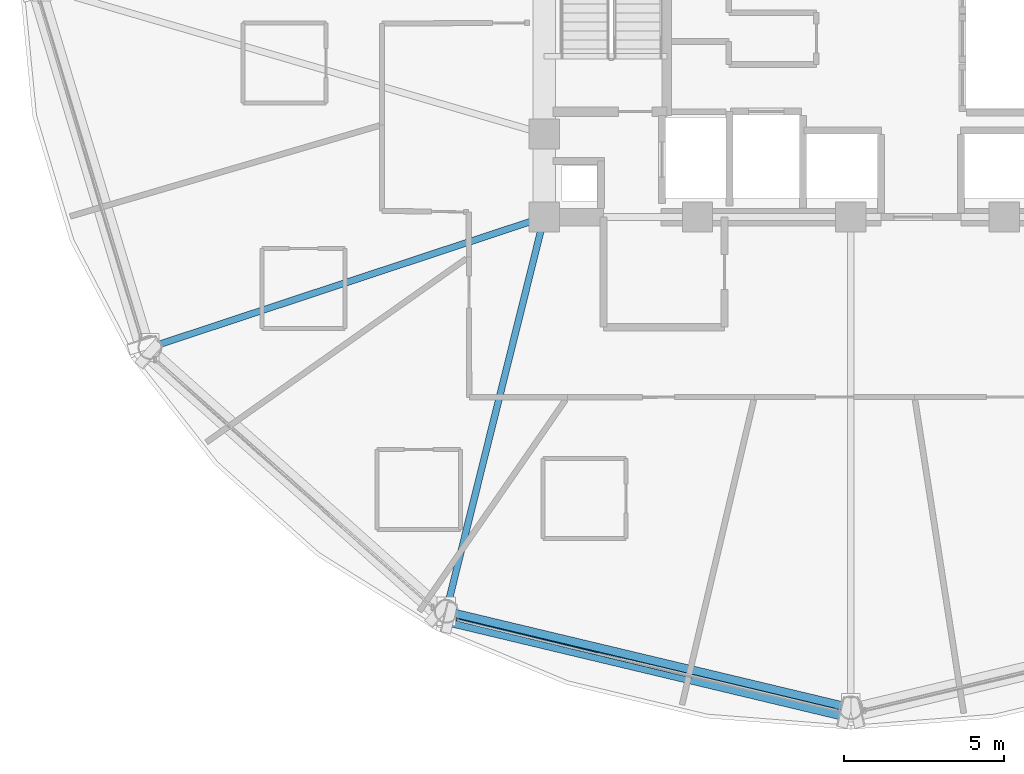
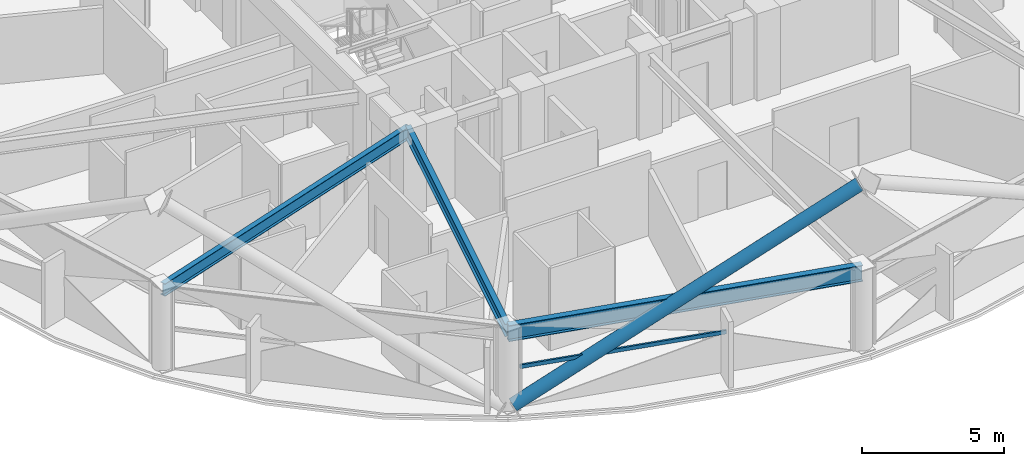
# One storey, part 3 of 30: 3 beams, 2 members, 1 element without a shape of its own.
"""IFC4 building model written with IfcOpenShell, lengths in metres."""

from ifc_helpers import new_model, si_unit, direction, frame, origin, origin_2d, place, context, subcontext, project, spatial, hollow_rectangle, hollow_circle, i_section, extrude, material, layer, layer_set, material_profile, profile_set, type_object, element, aggregate, save


model = new_model("IFC4")

# Units and contexts
model_context = context("Model", 3, precision=1e-05, world=origin(), true_north=direction((0.0, 1.0)))
body_context = subcontext(model_context, "Body", "Model", "MODEL_VIEW")
ifc_project = project(units=[si_unit("LENGTHUNIT", "METRE"), si_unit("AREAUNIT", "SQUARE_METRE"), si_unit("VOLUMEUNIT", "CUBIC_METRE"), si_unit("PLANEANGLEUNIT", "RADIAN"), si_unit("MASSUNIT", "GRAM", prefix="KILO")], contexts=[model_context])

# Site, building, storey
site_placement = place(None, origin())
site = spatial("IfcSite", under=ifc_project, at=site_placement, CompositionType="ELEMENT")
building_placement = place(site_placement, origin())
building = spatial("IfcBuilding", under=site, at=building_placement, Name="Vantalir Tower", CompositionType="ELEMENT")
storey_placement = place(building_placement, frame((0.0, 0.0, 119.699951171875)))
storey = spatial("IfcBuildingStorey", under=building, at=storey_placement, Name="L29", CompositionType="ELEMENT", Elevation=119.699951171875)

# Beams
ifc_material_1 = material(Name="Steel S355", Category="steel")
ifc_material_profile_1 = material_profile(ifc_material_1, i_section(OverallWidth=0.2109375, OverallDepth=0.5390625, WebThickness=0.01171875, FlangeThickness=0.018798828125, at=origin_2d()), Name="Steel S355")
ifc_profile_set_1 = profile_set([ifc_material_profile_1], Name="Steel S355")
beam_type_1 = type_object("IfcBeamType", Name="BM-RB-533x210", PredefinedType="BEAM", material=ifc_profile_set_1)
beam_1_placement = place(storey_placement, frame((9.554931640625, 13.717041015625, 3.300048828125), z_axis=(0.949418619953, 0.314013190944, 0.0), x_axis=(-0.314013190944, 0.949418619953, 0.0)))
element("IfcBeam", 1, at=beam_1_placement, inside=storey, type_object=beam_type_1, Name="L29 Radial Floor Beam 08", PredefinedType="BEAM", context=body_context, shape_type="SweptSolid", body=[
    extrude(i_section(OverallWidth=0.2109375, OverallDepth=0.5390625, WebThickness=0.01171875, FlangeThickness=0.018798828125, at=origin_2d()), origin(), (0.0, 0.0, 1.0), 13.002685546875),
])
beam_2_placement = place(storey_placement, frame((18.830078125, 5.45703125, 3.300048828125), z_axis=(0.241356653408, 0.970436482134, 0.0), x_axis=(-0.970436482134, 0.241356653408, 0.0)))
element("IfcBeam", 2, at=beam_2_placement, inside=storey, type_object=beam_type_1, Name="L29 Radial Floor Beam 09", PredefinedType="BEAM", context=body_context, shape_type="SweptSolid", body=[
    extrude(i_section(OverallWidth=0.2109375, OverallDepth=0.5390625, WebThickness=0.01171875, FlangeThickness=0.018798828125, at=origin_2d()), origin(), (0.0, 0.0, 1.0), 12.718994140625),
])
ifc_material_2 = material(Name="Steel S460", Category="steel")
ifc_material_profile_2 = material_profile(ifc_material_2, i_section(OverallWidth=0.256103515625, OverallDepth=0.693115234375, WebThickness=0.014404296875, FlangeThickness=0.023681640625, at=origin_2d()), Name="Steel S460")
ifc_profile_set_2 = profile_set([ifc_material_profile_2], Name="Steel S460")
beam_type_2 = type_object("IfcBeamType", Name="BM-RG-686x254", PredefinedType="USERDEFINED", material=ifc_profile_set_2)
beam_3_placement = place(storey_placement, frame((18.830078125, 5.45703125, 3.22314453125), z_axis=(0.972697106811, -0.232078302307, 0.0), x_axis=(0.232078302307, 0.972697106811, 0.0)))
element("IfcBeam", 3, at=beam_3_placement, inside=storey, type_object=beam_type_2, Name="L29 Circumferential Ring Girder 09", ObjectType="GIRDER", PredefinedType="USERDEFINED", context=body_context, shape_type="SweptSolid", body=[
    extrude(i_section(OverallWidth=0.256103515625, OverallDepth=0.693115234375, WebThickness=0.014404296875, FlangeThickness=0.023681640625, at=origin_2d()), origin(), (0.0, 0.0, 1.0), 13.025634765625),
])

# Curtain wall, member
ifc_material_3 = material(Name="Champagne-silver PVDF aluminium and double-silver Low-E glass", Category="aluminium")
ifc_layer = layer(ifc_material_3, 0.199951171875)
ifc_layer_set = layer_set([ifc_layer], Name="Champagne-silver PVDF aluminium and double-silver Low-E glass")
curtain_wall_type = type_object("IfcCurtainWallType", Name="CW-DIAMOND-Z2", PredefinedType="USERDEFINED", material=ifc_layer_set)
curtain_wall_placement = place(storey_placement, origin())
curtain_wall = element("IfcCurtainWall", 4, at=curtain_wall_placement, inside=storey, type_object=curtain_wall_type, Name="L29 Quilted Pyramid-Diamond Curtain Wall S09", ObjectType="UNITISED CURTAIN WALL", PredefinedType="USERDEFINED")
ifc_material_4 = material(Name="Champagne-silver PVDF aluminium 6063-T6", Category="aluminium")
ifc_material_profile_3 = material_profile(ifc_material_4, hollow_rectangle(XDim=0.074951171875, YDim=0.159912109375, WallThickness=0.00390625, at=origin_2d()), Name="Champagne-silver PVDF aluminium 6063-T6")
ifc_profile_set_3 = profile_set([ifc_material_profile_3], Name="Champagne-silver PVDF aluminium 6063-T6")
member_type_1 = type_object("IfcMemberType", Name="CWT-160x75", PredefinedType="USERDEFINED", material=ifc_profile_set_3)
member_1_placement = place(storey_placement, frame((19.1630859375, 5.19091796875, 1.78515625), z_axis=(0.971902074996, -0.235385548872, 0.0), x_axis=(0.235385548872, 0.971902074996, 0.0)))
member_1 = element("IfcMember", 5, at=member_1_placement, type_object=member_type_1, Name="CW-L29-S09 Pyramid Fold Ridge Transom", ObjectType="TRANSOM", PredefinedType="USERDEFINED", context=body_context, shape_type="SweptSolid", body=[
    extrude(hollow_rectangle(XDim=0.074951171875, YDim=0.159912109375, WallThickness=0.00390625, at=origin_2d()), origin(), (0.0, 0.0, 1.0), 7.59130859375),
])
aggregate(curtain_wall, [member_1])

# Member
ifc_material_profile_4 = material_profile(ifc_material_2, hollow_circle(Radius=0.260009765625, WallThickness=0.0380859375, at=origin_2d()), Name="Steel S460")
ifc_profile_set_4 = profile_set([ifc_material_profile_4], Name="Steel S460")
member_type_2 = type_object("IfcMemberType", Name="MEM-DB-520x38", PredefinedType="BRACE", material=ifc_profile_set_4)
member_2_placement = place(storey_placement, frame((18.923095703125, 5.248046875, 0.18505859375), z_axis=(0.853813989994, -0.203926013572, 0.478973748215), x_axis=(0.232307159218, 0.972642474795, 0.0)))
element("IfcMember", 6, at=member_2_placement, inside=storey, type_object=member_type_2, Name="L29 Perimeter S460 Diagrid Brace R25L", PredefinedType="BRACE", context=body_context, shape_type="SweptSolid", body=[
    extrude(hollow_circle(Radius=0.260009765625, WallThickness=0.0380859375, at=origin_2d()), origin(), (0.0, 0.0, 1.0), 14.510009765625),
])

save(model, "model.ifc")
